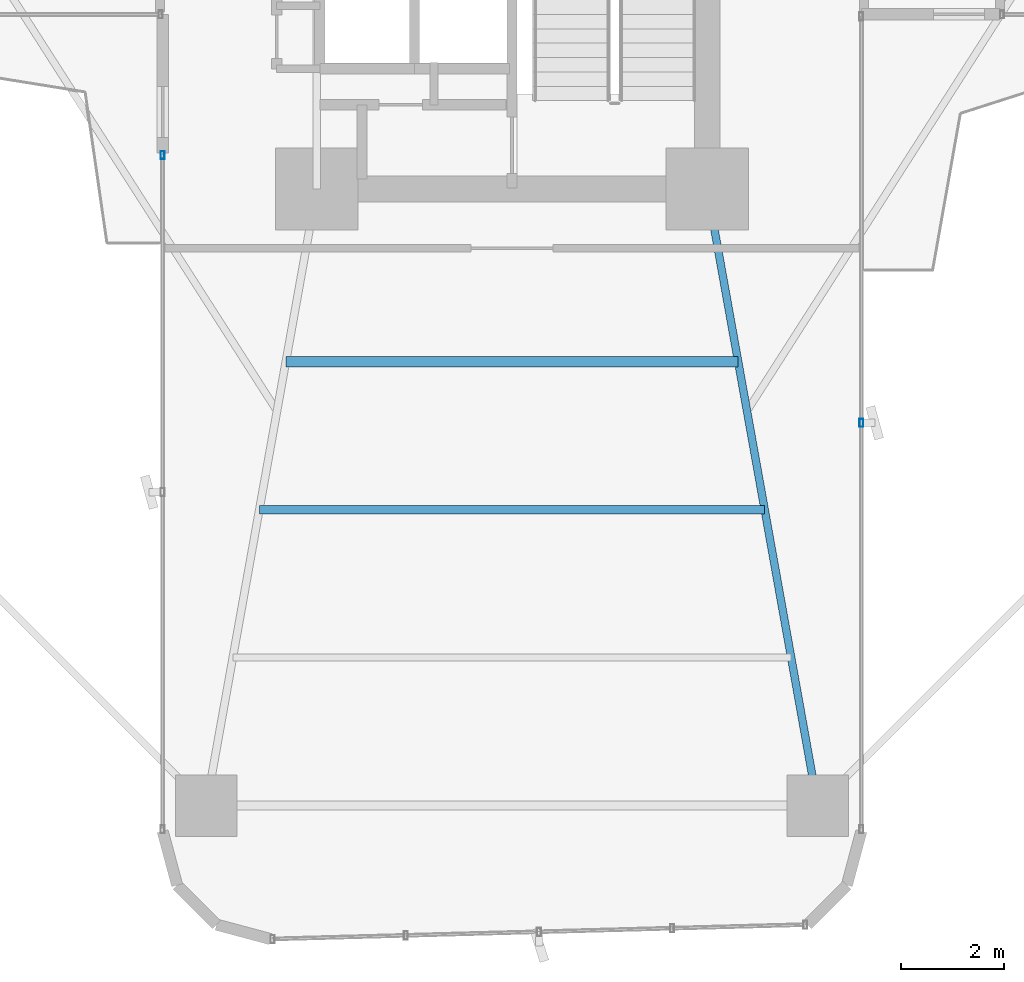
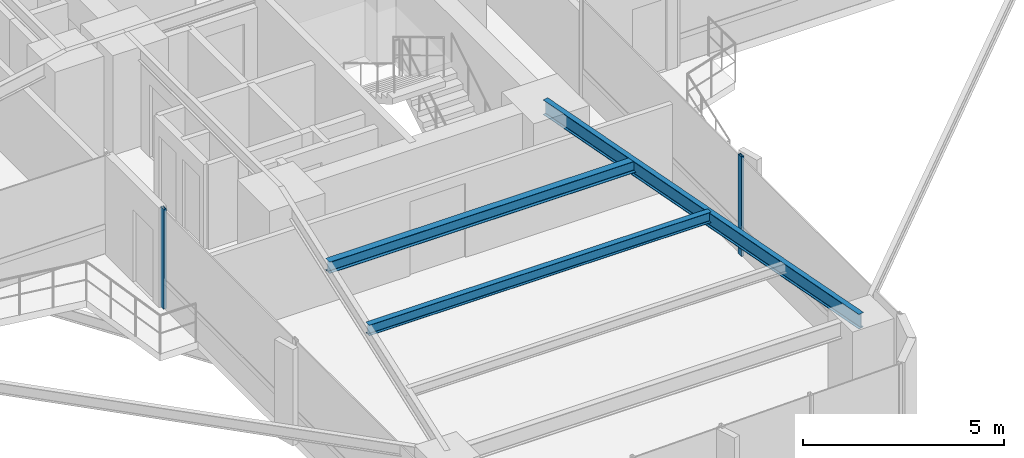
# One storey, part 4 of 25: 3 beams, 2 members, 2 elements without a shape of their own.
"""IFC4 building model written with IfcOpenShell, lengths in metres."""

from ifc_helpers import new_model, si_unit, direction, frame, origin, origin_2d, place, context, subcontext, project, spatial, hollow_rectangle, i_section, extrude, source, transform, mapped, material, material_profile, profile_set, type_object, element, aggregate, save


model = new_model("IFC4")

# Units and contexts
model_context = context("Model", 3, precision=1e-05, world=origin(), true_north=direction((0.0, 1.0)))
body_context = subcontext(model_context, "Body", "Model", "MODEL_VIEW")
ifc_project = project(units=[si_unit("LENGTHUNIT", "METRE"), si_unit("AREAUNIT", "SQUARE_METRE"), si_unit("VOLUMEUNIT", "CUBIC_METRE"), si_unit("PLANEANGLEUNIT", "RADIAN"), si_unit("MASSUNIT", "GRAM", prefix="KILO")], contexts=[model_context])

# Site, building, storey
site_placement = place(None, origin())
site = spatial("IfcSite", under=ifc_project, at=site_placement, CompositionType="ELEMENT")
building_placement = place(site_placement, origin())
building = spatial("IfcBuilding", under=site, at=building_placement, Name="Sahyath Konkavel Grand Hotel", CompositionType="ELEMENT")
storey_placement = place(building_placement, frame((0.0, 0.0, 71.14990234375)))
storey = spatial("IfcBuildingStorey", under=building, at=storey_placement, Name="L19", CompositionType="ELEMENT", Elevation=71.14990234375)

# Beams
ifc_material_1 = material(Name="Steel E350", Category="steel")
ifc_material_profile_1 = material_profile(ifc_material_1, i_section(OverallWidth=0.14990234375, OverallDepth=0.449951171875, WebThickness=0.009521484375, FlangeThickness=0.017333984375, FilletRadius=0.014892578125, at=origin_2d()), Name="ISMB 450")
ifc_profile_set_1 = profile_set([ifc_material_profile_1], Name="Steel E350")
beam_type_1 = type_object("IfcBeamType", Name="BM-ISMB450", PredefinedType="BEAM", material=ifc_profile_set_1)
shared_shape_1 = source(origin(), body_context, "Body", "SweptSolid", [
    extrude(i_section(OverallWidth=0.14990234375, OverallDepth=0.449951171875, WebThickness=0.009521484375, FlangeThickness=0.017333984375, FilletRadius=0.014892578125, at=origin_2d()), origin(), (0.0, 0.0, 1.0), 12.191162109375),
])
beam_1_placement = place(storey_placement, frame((3.800048828125, -10.199951171875, 2.80517578125), z_axis=(0.176350650305, -0.984327409014, 0.0), x_axis=(0.984327409014, 0.176350650305, 0.0)))
element("IfcBeam", 1, at=beam_1_placement, inside=storey, type_object=beam_type_1, Name="L19 Cruciform Radial Girder SB", PredefinedType="BEAM", context=body_context, shape_type="MappedRepresentation", body=[
    mapped(shared_shape_1, transform((0.0, 0.0, 0.0), scale=1.0)),
])
ifc_material_profile_2 = material_profile(ifc_material_1, i_section(OverallWidth=0.199951171875, OverallDepth=0.35009765625, WebThickness=0.008056640625, FlangeThickness=0.011474609375, FilletRadius=0.013916015625, at=origin_2d()), Name="ISWB 350")
ifc_profile_set_2 = profile_set([ifc_material_profile_2], Name="Steel E350")
beam_type_2 = type_object("IfcBeamType", Name="BM-ISWB350", PredefinedType="BEAM", material=ifc_profile_set_2)
shared_shape_2 = source(origin(), body_context, "Body", "SweptSolid", [
    extrude(i_section(OverallWidth=0.199951171875, OverallDepth=0.35009765625, WebThickness=0.008056640625, FlangeThickness=0.011474609375, FilletRadius=0.013916015625, at=origin_2d()), origin(), (0.0, 0.0, 1.0), 8.80419921875),
])
beam_2_placement = place(storey_placement, frame((-4.402099609375, -13.56005859375, 2.85498046875), z_axis=(1.0, 0.0, 0.0), x_axis=(0.0, 1.0, 0.0)))
element("IfcBeam", 2, at=beam_2_placement, inside=storey, type_object=beam_type_2, Name="L19 Secondary Floor Beam S-1", PredefinedType="BEAM", context=body_context, shape_type="MappedRepresentation", body=[
    mapped(shared_shape_2, transform((0.0, 0.0, 0.0), scale=1.0)),
])
ifc_material_profile_3 = material_profile(ifc_material_1, i_section(OverallWidth=0.1650390625, OverallDepth=0.324951171875, WebThickness=0.007080078125, FlangeThickness=0.009765625, FilletRadius=0.014892578125, at=origin_2d()), Name="ISLB 325")
ifc_profile_set_3 = profile_set([ifc_material_profile_3], Name="Steel E350")
beam_type_3 = type_object("IfcBeamType", Name="BM-ISLB325", PredefinedType="BEAM", material=ifc_profile_set_3)
shared_shape_3 = source(origin(), body_context, "Body", "SweptSolid", [
    extrude(i_section(OverallWidth=0.1650390625, OverallDepth=0.324951171875, WebThickness=0.007080078125, FlangeThickness=0.009765625, FilletRadius=0.014892578125, at=origin_2d()), origin(), (0.0, 0.0, 1.0), 9.8359375),
])
beam_3_placement = place(storey_placement, frame((-4.91796875, -16.43994140625, 2.86767578125), z_axis=(1.0, 0.0, 0.0), x_axis=(0.0, 1.0, 0.0)))
element("IfcBeam", 3, at=beam_3_placement, inside=storey, type_object=beam_type_3, Name="L19 Secondary Floor Beam S-2", PredefinedType="BEAM", context=body_context, shape_type="MappedRepresentation", body=[
    mapped(shared_shape_3, transform((0.0, 0.0, 0.0), scale=1.0)),
])

# Curtain wall, member
ifc_material_2 = material(Name="Anodised Bronze Aluminium & Low-E Glazing", Category="aluminium")
curtain_wall_type = type_object("IfcCurtainWallType", Name="CW-ZONE1", PredefinedType="NOTDEFINED", material=ifc_material_2)
curtain_wall_1_placement = place(storey_placement, origin())
curtain_wall_1 = element("IfcCurtainWall", 4, at=curtain_wall_1_placement, inside=storey, type_object=curtain_wall_type, Name="L19 Unitised Curtain Wall F24", PredefinedType="NOTDEFINED")
ifc_material_3 = material(Name="Anodised Bronze Aluminium", Category="aluminium")
ifc_material_profile_4 = material_profile(ifc_material_3, hollow_rectangle(XDim=0.080078125, YDim=0.159912109375, WallThickness=0.006103515625, at=origin_2d()), Name="RHS 160x80x6")
ifc_profile_set_4 = profile_set([ifc_material_profile_4], Name="Anodised Bronze Aluminium")
member_type = type_object("IfcMemberType", Name="CW-MUL-160", PredefinedType="MULLION", material=ifc_profile_set_4)
shared_shape_4 = source(origin(), body_context, "Body", "SweptSolid", [
    extrude(hollow_rectangle(XDim=0.080078125, YDim=0.159912109375, WallThickness=0.006103515625, at=origin_2d()), origin(), (0.0, 0.0, 1.0), 3.030029296875),
])
member_1_placement = place(storey_placement, frame((-6.800048828125, -9.5400390625, 0.0), z_axis=(0.0, 0.0, 1.0), x_axis=(1.0, 0.0, 0.0)))
member_1 = element("IfcMember", 5, at=member_1_placement, type_object=member_type, Name="L19 Curtain Wall Mullion F24-0", PredefinedType="MULLION", context=body_context, shape_type="MappedRepresentation", body=[
    mapped(shared_shape_4, transform((0.0, 0.0, 0.0), scale=1.0)),
])
aggregate(curtain_wall_1, [member_1])

curtain_wall_2_placement = place(storey_placement, origin())
curtain_wall_2 = element("IfcCurtainWall", 6, at=curtain_wall_2_placement, inside=storey, type_object=curtain_wall_type, Name="L19 Unitised Curtain Wall F31", PredefinedType="NOTDEFINED")
member_2_placement = place(storey_placement, frame((6.800048828125, -14.75, 0.0), z_axis=(0.0, 0.0, 1.0), x_axis=(1.0, 0.0, 0.0)))
member_2 = element("IfcMember", 7, at=member_2_placement, type_object=member_type, Name="L19 Curtain Wall Mullion F31-1", PredefinedType="MULLION", context=body_context, shape_type="MappedRepresentation", body=[
    mapped(shared_shape_4, transform((0.0, 0.0, 0.0), scale=1.0)),
])
aggregate(curtain_wall_2, [member_2])

save(model, "model.ifc")
